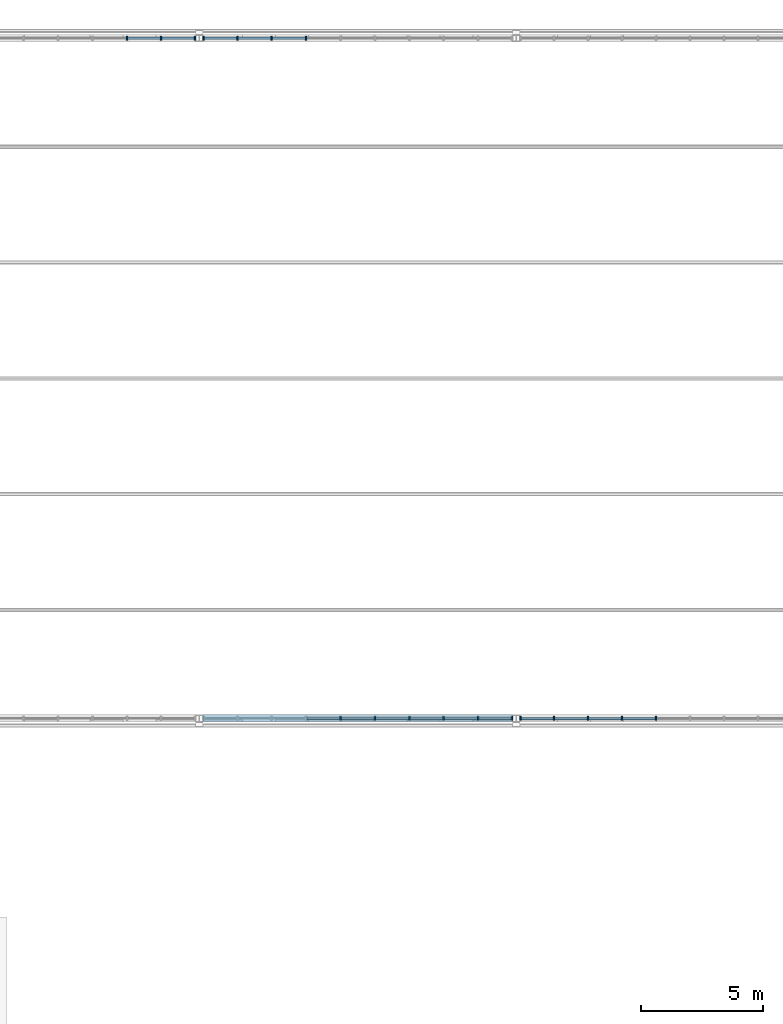
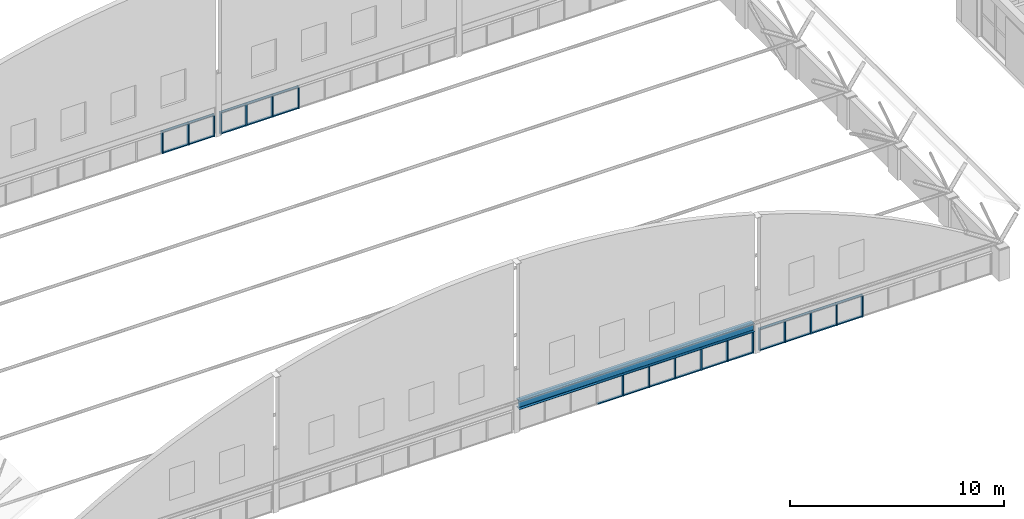
# One storey, part 18 of 65: 48 members, 1 beam, 4 elements without a shape of their own.
"""IFC4 building model written with IfcOpenShell, lengths in metres."""

from ifc_helpers import new_model, si_unit, direction, frame, origin, origin_2d, place, context, subcontext, project, spatial, rectangle, i_section, extrude, material, material_profile, profile_set, type_object, element, aggregate, save


model = new_model("IFC4")

# Units and contexts
model_context = context("Model", 3, precision=1e-05, world=origin(), true_north=direction((0.0, 1.0)))
body_context = subcontext(model_context, "Body", "Model", "MODEL_VIEW")
ifc_project = project(units=[si_unit("LENGTHUNIT", "METRE"), si_unit("AREAUNIT", "SQUARE_METRE"), si_unit("VOLUMEUNIT", "CUBIC_METRE"), si_unit("PLANEANGLEUNIT", "RADIAN"), si_unit("MASSUNIT", "GRAM", prefix="KILO")], contexts=[model_context])

# Site, building, storey
site_placement = place(None, origin())
site = spatial("IfcSite", under=ifc_project, at=site_placement, CompositionType="ELEMENT")
building_placement = place(site_placement, origin())
building = spatial("IfcBuilding", under=site, at=building_placement, Name="Elbe Cascade School", CompositionType="ELEMENT")
storey_placement = place(building_placement, frame((0.0, 0.0, 11.699951171875)))
storey = spatial("IfcBuildingStorey", under=building, at=storey_placement, Name="L03", CompositionType="ELEMENT", Elevation=11.699951171875)

# Beam
ifc_material_1 = material(Name="Steel S355J2", Category="steel")
ifc_material_profile_1 = material_profile(ifc_material_1, i_section(OverallWidth=0.300048828125, OverallDepth=0.489990234375, WebThickness=0.011962890625, FlangeThickness=0.02294921875, FilletRadius=0.027099609375, at=origin_2d()), Name="HEA 500")
ifc_profile_set_1 = profile_set([ifc_material_profile_1], Name="Steel S355J2")
beam_type = type_object("IfcBeamType", Name="Hall gable beam HEA 500", PredefinedType="BEAM", material=ifc_profile_set_1)
beam_placement = place(storey_placement, frame((34.14990234375, 41.300048828125, 1.505126953125), z_axis=(1.0, 0.0, 0.0), x_axis=(0.0, 1.0, 0.0)))
element("IfcBeam", 1, at=beam_placement, inside=storey, type_object=beam_type, Name="Gable beam S3", PredefinedType="BEAM", context=body_context, shape_type="SweptSolid", body=[
    extrude(i_section(OverallWidth=0.300048828125, OverallDepth=0.489990234375, WebThickness=0.011962890625, FlangeThickness=0.02294921875, FilletRadius=0.027099609375, at=origin_2d()), origin(), (0.0, 0.0, 1.0), 12.7001953125),
])

# Curtain wall, members
ifc_material_2 = material(Name="Glass - double glazed low-E", Category="glass")
curtain_wall_type = type_object("IfcCurtainWallType", Name="Hall gable curtain wall", PredefinedType="NOTDEFINED", material=ifc_material_2)
curtain_wall_1_placement = place(storey_placement, origin())
curtain_wall_1 = element("IfcCurtainWall", 2, at=curtain_wall_1_placement, inside=storey, type_object=curtain_wall_type, Name="Gable curtain wall S3", PredefinedType="NOTDEFINED")
ifc_material_3 = material(Name="Aluminium - bronze anodised", Category="aluminium")
ifc_material_profile_2 = material_profile(ifc_material_3, rectangle(XDim=0.159912109375, YDim=0.06005859375, at=origin_2d()), Name="Alu 60x160")
ifc_profile_set_2 = profile_set([ifc_material_profile_2], Name="Aluminium - bronze anodised")
member_type_1 = type_object("IfcMemberType", Name="Hall gable mullion 60x160", PredefinedType="MULLION", material=ifc_profile_set_2)
member_1_placement = place(storey_placement, frame((39.79443359375, 41.300048828125, 0.0), z_axis=(0.0, 0.0, 1.0), x_axis=(0.0, 1.0, 0.0)))
member_1 = element("IfcMember", 3, at=member_1_placement, type_object=member_type_1, Name="CW6 mullion 5", PredefinedType="MULLION", context=body_context, shape_type="SweptSolid", body=[
    extrude(rectangle(XDim=0.159912109375, YDim=0.06005859375, at=origin_2d()), origin(), (0.0, 0.0, 1.0), 1.260009765625),
])
member_2_placement = place(storey_placement, frame((41.20556640625, 41.300048828125, 0.0), z_axis=(0.0, 0.0, 1.0), x_axis=(0.0, 1.0, 0.0)))
member_2 = element("IfcMember", 4, at=member_2_placement, type_object=member_type_1, Name="CW6 mullion 6", PredefinedType="MULLION", context=body_context, shape_type="SweptSolid", body=[
    extrude(rectangle(XDim=0.159912109375, YDim=0.06005859375, at=origin_2d()), origin(), (0.0, 0.0, 1.0), 1.260009765625),
])
member_3_placement = place(storey_placement, frame((42.61669921875, 41.300048828125, 0.0), z_axis=(0.0, 0.0, 1.0), x_axis=(0.0, 1.0, 0.0)))
member_3 = element("IfcMember", 5, at=member_3_placement, type_object=member_type_1, Name="CW6 mullion 7", PredefinedType="MULLION", context=body_context, shape_type="SweptSolid", body=[
    extrude(rectangle(XDim=0.159912109375, YDim=0.06005859375, at=origin_2d()), origin(), (0.0, 0.0, 1.0), 1.260009765625),
])
member_4_placement = place(storey_placement, frame((44.02783203125, 41.300048828125, 0.0), z_axis=(0.0, 0.0, 1.0), x_axis=(0.0, 1.0, 0.0)))
member_4 = element("IfcMember", 6, at=member_4_placement, type_object=member_type_1, Name="CW6 mullion 8", PredefinedType="MULLION", context=body_context, shape_type="SweptSolid", body=[
    extrude(rectangle(XDim=0.159912109375, YDim=0.06005859375, at=origin_2d()), origin(), (0.0, 0.0, 1.0), 1.260009765625),
])
member_5_placement = place(storey_placement, frame((45.43896484375, 41.300048828125, 0.0), z_axis=(0.0, 0.0, 1.0), x_axis=(0.0, 1.0, 0.0)))
member_5 = element("IfcMember", 7, at=member_5_placement, type_object=member_type_1, Name="CW6 mullion 9", PredefinedType="MULLION", context=body_context, shape_type="SweptSolid", body=[
    extrude(rectangle(XDim=0.159912109375, YDim=0.06005859375, at=origin_2d()), origin(), (0.0, 0.0, 1.0), 1.260009765625),
])
member_6_placement = place(storey_placement, frame((46.820068359375, 41.300048828125, 0.0), z_axis=(0.0, 0.0, 1.0), x_axis=(0.0, 1.0, 0.0)))
member_6 = element("IfcMember", 8, at=member_6_placement, type_object=member_type_1, Name="CW6 mullion 10", PredefinedType="MULLION", context=body_context, shape_type="SweptSolid", body=[
    extrude(rectangle(XDim=0.159912109375, YDim=0.06005859375, at=origin_2d()), origin(), (0.0, 0.0, 1.0), 1.260009765625),
])

curtain_wall_2_placement = place(storey_placement, origin())
curtain_wall_2 = element("IfcCurtainWall", 9, at=curtain_wall_2_placement, inside=storey, type_object=curtain_wall_type, Name="Gable curtain wall S4", PredefinedType="NOTDEFINED")
member_7_placement = place(storey_placement, frame((47.179931640625, 41.300048828125, 0.0), z_axis=(0.0, 0.0, 1.0), x_axis=(0.0, 1.0, 0.0)))
member_7 = element("IfcMember", 10, at=member_7_placement, type_object=member_type_1, Name="CW6 mullion 1", PredefinedType="MULLION", context=body_context, shape_type="SweptSolid", body=[
    extrude(rectangle(XDim=0.159912109375, YDim=0.06005859375, at=origin_2d()), origin(), (0.0, 0.0, 1.0), 1.260009765625),
])
member_8_placement = place(storey_placement, frame((48.54443359375, 41.300048828125, 0.0), z_axis=(0.0, 0.0, 1.0), x_axis=(0.0, 1.0, 0.0)))
member_8 = element("IfcMember", 11, at=member_8_placement, type_object=member_type_1, Name="CW6 mullion 2", PredefinedType="MULLION", context=body_context, shape_type="SweptSolid", body=[
    extrude(rectangle(XDim=0.159912109375, YDim=0.06005859375, at=origin_2d()), origin(), (0.0, 0.0, 1.0), 1.260009765625),
])
member_9_placement = place(storey_placement, frame((49.93896484375, 41.300048828125, 0.0), z_axis=(0.0, 0.0, 1.0), x_axis=(0.0, 1.0, 0.0)))
member_9 = element("IfcMember", 12, at=member_9_placement, type_object=member_type_1, Name="CW6 mullion 3", PredefinedType="MULLION", context=body_context, shape_type="SweptSolid", body=[
    extrude(rectangle(XDim=0.159912109375, YDim=0.06005859375, at=origin_2d()), origin(), (0.0, 0.0, 1.0), 1.260009765625),
])
member_10_placement = place(storey_placement, frame((51.333251953125, 41.300048828125, 0.0), z_axis=(0.0, 0.0, 1.0), x_axis=(0.0, 1.0, 0.0)))
member_10 = element("IfcMember", 13, at=member_10_placement, type_object=member_type_1, Name="CW6 mullion 4", PredefinedType="MULLION", context=body_context, shape_type="SweptSolid", body=[
    extrude(rectangle(XDim=0.159912109375, YDim=0.06005859375, at=origin_2d()), origin(), (0.0, 0.0, 1.0), 1.260009765625),
])
member_11_placement = place(storey_placement, frame((52.727783203125, 41.300048828125, 0.0), z_axis=(0.0, 0.0, 1.0), x_axis=(0.0, 1.0, 0.0)))
member_11 = element("IfcMember", 14, at=member_11_placement, type_object=member_type_1, Name="CW6 mullion 5", PredefinedType="MULLION", context=body_context, shape_type="SweptSolid", body=[
    extrude(rectangle(XDim=0.159912109375, YDim=0.06005859375, at=origin_2d()), origin(), (0.0, 0.0, 1.0), 1.260009765625),
])

curtain_wall_3_placement = place(storey_placement, origin())
curtain_wall_3 = element("IfcCurtainWall", 15, at=curtain_wall_3_placement, inside=storey, type_object=curtain_wall_type, Name="Gable curtain wall N2", PredefinedType="NOTDEFINED")
member_12_placement = place(storey_placement, frame((31.02783203125, 69.199951171875, 0.0), z_axis=(0.0, 0.0, 1.0), x_axis=(0.0, 1.0, 0.0)))
member_12 = element("IfcMember", 16, at=member_12_placement, type_object=member_type_1, Name="CW6 mullion 8", PredefinedType="MULLION", context=body_context, shape_type="SweptSolid", body=[
    extrude(rectangle(XDim=0.159912109375, YDim=0.06005859375, at=origin_2d()), origin(), (0.0, 0.0, 1.0), 1.260009765625),
])
member_13_placement = place(storey_placement, frame((32.43896484375, 69.199951171875, 0.0), z_axis=(0.0, 0.0, 1.0), x_axis=(0.0, 1.0, 0.0)))
member_13 = element("IfcMember", 17, at=member_13_placement, type_object=member_type_1, Name="CW6 mullion 9", PredefinedType="MULLION", context=body_context, shape_type="SweptSolid", body=[
    extrude(rectangle(XDim=0.159912109375, YDim=0.06005859375, at=origin_2d()), origin(), (0.0, 0.0, 1.0), 1.260009765625),
])
member_14_placement = place(storey_placement, frame((33.820068359375, 69.199951171875, 0.0), z_axis=(0.0, 0.0, 1.0), x_axis=(0.0, 1.0, 0.0)))
member_14 = element("IfcMember", 18, at=member_14_placement, type_object=member_type_1, Name="CW6 mullion 10", PredefinedType="MULLION", context=body_context, shape_type="SweptSolid", body=[
    extrude(rectangle(XDim=0.159912109375, YDim=0.06005859375, at=origin_2d()), origin(), (0.0, 0.0, 1.0), 1.260009765625),
])

curtain_wall_4_placement = place(storey_placement, origin())
curtain_wall_4 = element("IfcCurtainWall", 19, at=curtain_wall_4_placement, inside=storey, type_object=curtain_wall_type, Name="Gable curtain wall N3", PredefinedType="NOTDEFINED")
member_15_placement = place(storey_placement, frame((34.179931640625, 69.199951171875, 0.0), z_axis=(0.0, 0.0, 1.0), x_axis=(0.0, 1.0, 0.0)))
member_15 = element("IfcMember", 20, at=member_15_placement, type_object=member_type_1, Name="CW6 mullion 1", PredefinedType="MULLION", context=body_context, shape_type="SweptSolid", body=[
    extrude(rectangle(XDim=0.159912109375, YDim=0.06005859375, at=origin_2d()), origin(), (0.0, 0.0, 1.0), 1.260009765625),
])
member_16_placement = place(storey_placement, frame((35.56103515625, 69.199951171875, 0.0), z_axis=(0.0, 0.0, 1.0), x_axis=(0.0, 1.0, 0.0)))
member_16 = element("IfcMember", 21, at=member_16_placement, type_object=member_type_1, Name="CW6 mullion 2", PredefinedType="MULLION", context=body_context, shape_type="SweptSolid", body=[
    extrude(rectangle(XDim=0.159912109375, YDim=0.06005859375, at=origin_2d()), origin(), (0.0, 0.0, 1.0), 1.260009765625),
])
member_17_placement = place(storey_placement, frame((36.97216796875, 69.199951171875, 0.0), z_axis=(0.0, 0.0, 1.0), x_axis=(0.0, 1.0, 0.0)))
member_17 = element("IfcMember", 22, at=member_17_placement, type_object=member_type_1, Name="CW6 mullion 3", PredefinedType="MULLION", context=body_context, shape_type="SweptSolid", body=[
    extrude(rectangle(XDim=0.159912109375, YDim=0.06005859375, at=origin_2d()), origin(), (0.0, 0.0, 1.0), 1.260009765625),
])
member_18_placement = place(storey_placement, frame((38.38330078125, 69.199951171875, 0.0), z_axis=(0.0, 0.0, 1.0), x_axis=(0.0, 1.0, 0.0)))
member_18 = element("IfcMember", 23, at=member_18_placement, type_object=member_type_1, Name="CW6 mullion 4", PredefinedType="MULLION", context=body_context, shape_type="SweptSolid", body=[
    extrude(rectangle(XDim=0.159912109375, YDim=0.06005859375, at=origin_2d()), origin(), (0.0, 0.0, 1.0), 1.260009765625),
])

# Member
ifc_material_4 = material(Name="Aluminium - bronze anodised", Category="aluminium")
ifc_material_profile_3 = material_profile(ifc_material_4, rectangle(XDim=0.1201171875, YDim=0.06005859375, at=origin_2d()), Name="Alu 60x120")
ifc_profile_set_3 = profile_set([ifc_material_profile_3], Name="Aluminium - bronze anodised")
member_type_2 = type_object("IfcMemberType", Name="Hall gable transom 60x120", PredefinedType="USERDEFINED", material=ifc_profile_set_3)
member_19_placement = place(storey_placement, frame((38.413330078125, 41.300048828125, 0.030029296875), z_axis=(1.0, 0.0, 0.0), x_axis=(0.0, 1.0, 0.0)))
member_19 = element("IfcMember", 24, at=member_19_placement, type_object=member_type_2, Name="CW6 transom 4.1", ObjectType="TRANSOM", PredefinedType="USERDEFINED", context=body_context, shape_type="SweptSolid", body=[
    extrude(rectangle(XDim=0.1201171875, YDim=0.06005859375, at=origin_2d()), origin(), (0.0, 0.0, 1.0), 1.35107421875),
])

member_20_placement = place(storey_placement, frame((38.413330078125, 41.300048828125, 1.22998046875), z_axis=(1.0, 0.0, 0.0), x_axis=(0.0, 1.0, 0.0)))
member_20 = element("IfcMember", 25, at=member_20_placement, type_object=member_type_2, Name="CW6 transom 4.2", ObjectType="TRANSOM", PredefinedType="USERDEFINED", context=body_context, shape_type="SweptSolid", body=[
    extrude(rectangle(XDim=0.1201171875, YDim=0.06005859375, at=origin_2d()), origin(), (0.0, 0.0, 1.0), 1.35107421875),
])

member_21_placement = place(storey_placement, frame((39.824462890625, 41.300048828125, 0.030029296875), z_axis=(1.0, 0.0, 0.0), x_axis=(0.0, 1.0, 0.0)))
member_21 = element("IfcMember", 26, at=member_21_placement, type_object=member_type_2, Name="CW6 transom 5.1", ObjectType="TRANSOM", PredefinedType="USERDEFINED", context=body_context, shape_type="SweptSolid", body=[
    extrude(rectangle(XDim=0.1201171875, YDim=0.06005859375, at=origin_2d()), origin(), (0.0, 0.0, 1.0), 1.35107421875),
])

member_22_placement = place(storey_placement, frame((39.824462890625, 41.300048828125, 1.22998046875), z_axis=(1.0, 0.0, 0.0), x_axis=(0.0, 1.0, 0.0)))
member_22 = element("IfcMember", 27, at=member_22_placement, type_object=member_type_2, Name="CW6 transom 5.2", ObjectType="TRANSOM", PredefinedType="USERDEFINED", context=body_context, shape_type="SweptSolid", body=[
    extrude(rectangle(XDim=0.1201171875, YDim=0.06005859375, at=origin_2d()), origin(), (0.0, 0.0, 1.0), 1.35107421875),
])

member_23_placement = place(storey_placement, frame((41.235595703125, 41.300048828125, 0.030029296875), z_axis=(1.0, 0.0, 0.0), x_axis=(0.0, 1.0, 0.0)))
member_23 = element("IfcMember", 28, at=member_23_placement, type_object=member_type_2, Name="CW6 transom 6.1", ObjectType="TRANSOM", PredefinedType="USERDEFINED", context=body_context, shape_type="SweptSolid", body=[
    extrude(rectangle(XDim=0.1201171875, YDim=0.06005859375, at=origin_2d()), origin(), (0.0, 0.0, 1.0), 1.35107421875),
])

member_24_placement = place(storey_placement, frame((41.235595703125, 41.300048828125, 1.22998046875), z_axis=(1.0, 0.0, 0.0), x_axis=(0.0, 1.0, 0.0)))
member_24 = element("IfcMember", 29, at=member_24_placement, type_object=member_type_2, Name="CW6 transom 6.2", ObjectType="TRANSOM", PredefinedType="USERDEFINED", context=body_context, shape_type="SweptSolid", body=[
    extrude(rectangle(XDim=0.1201171875, YDim=0.06005859375, at=origin_2d()), origin(), (0.0, 0.0, 1.0), 1.35107421875),
])

member_25_placement = place(storey_placement, frame((42.646728515625, 41.300048828125, 0.030029296875), z_axis=(1.0, 0.0, 0.0), x_axis=(0.0, 1.0, 0.0)))
member_25 = element("IfcMember", 30, at=member_25_placement, type_object=member_type_2, Name="CW6 transom 7.1", ObjectType="TRANSOM", PredefinedType="USERDEFINED", context=body_context, shape_type="SweptSolid", body=[
    extrude(rectangle(XDim=0.1201171875, YDim=0.06005859375, at=origin_2d()), origin(), (0.0, 0.0, 1.0), 1.35107421875),
])

member_26_placement = place(storey_placement, frame((42.646728515625, 41.300048828125, 1.22998046875), z_axis=(1.0, 0.0, 0.0), x_axis=(0.0, 1.0, 0.0)))
member_26 = element("IfcMember", 31, at=member_26_placement, type_object=member_type_2, Name="CW6 transom 7.2", ObjectType="TRANSOM", PredefinedType="USERDEFINED", context=body_context, shape_type="SweptSolid", body=[
    extrude(rectangle(XDim=0.1201171875, YDim=0.06005859375, at=origin_2d()), origin(), (0.0, 0.0, 1.0), 1.35107421875),
])

member_27_placement = place(storey_placement, frame((44.057861328125, 41.300048828125, 0.030029296875), z_axis=(1.0, 0.0, 0.0), x_axis=(0.0, 1.0, 0.0)))
member_27 = element("IfcMember", 32, at=member_27_placement, type_object=member_type_2, Name="CW6 transom 8.1", ObjectType="TRANSOM", PredefinedType="USERDEFINED", context=body_context, shape_type="SweptSolid", body=[
    extrude(rectangle(XDim=0.1201171875, YDim=0.06005859375, at=origin_2d()), origin(), (0.0, 0.0, 1.0), 1.35107421875),
])

member_28_placement = place(storey_placement, frame((44.057861328125, 41.300048828125, 1.22998046875), z_axis=(1.0, 0.0, 0.0), x_axis=(0.0, 1.0, 0.0)))
member_28 = element("IfcMember", 33, at=member_28_placement, type_object=member_type_2, Name="CW6 transom 8.2", ObjectType="TRANSOM", PredefinedType="USERDEFINED", context=body_context, shape_type="SweptSolid", body=[
    extrude(rectangle(XDim=0.1201171875, YDim=0.06005859375, at=origin_2d()), origin(), (0.0, 0.0, 1.0), 1.35107421875),
])

member_29_placement = place(storey_placement, frame((45.468994140625, 41.300048828125, 0.030029296875), z_axis=(1.0, 0.0, 0.0), x_axis=(0.0, 1.0, 0.0)))
member_29 = element("IfcMember", 34, at=member_29_placement, type_object=member_type_2, Name="CW6 transom 9.1", ObjectType="TRANSOM", PredefinedType="USERDEFINED", context=body_context, shape_type="SweptSolid", body=[
    extrude(rectangle(XDim=0.1201171875, YDim=0.06005859375, at=origin_2d()), origin(), (0.0, 0.0, 1.0), 1.321044921875),
])

member_30_placement = place(storey_placement, frame((45.468994140625, 41.300048828125, 1.22998046875), z_axis=(1.0, 0.0, 0.0), x_axis=(0.0, 1.0, 0.0)))
member_30 = element("IfcMember", 35, at=member_30_placement, type_object=member_type_2, Name="CW6 transom 9.2", ObjectType="TRANSOM", PredefinedType="USERDEFINED", context=body_context, shape_type="SweptSolid", body=[
    extrude(rectangle(XDim=0.1201171875, YDim=0.06005859375, at=origin_2d()), origin(), (0.0, 0.0, 1.0), 1.321044921875),
])

aggregate(curtain_wall_1, [member_1, member_2, member_3, member_4, member_5, member_6, member_19, member_20, member_21, member_22, member_23, member_24, member_25, member_26, member_27, member_28, member_29, member_30])

member_31_placement = place(storey_placement, frame((47.2099609375, 41.300048828125, 0.030029296875), z_axis=(1.0, 0.0, 0.0), x_axis=(0.0, 1.0, 0.0)))
member_31 = element("IfcMember", 36, at=member_31_placement, type_object=member_type_2, Name="CW6 transom 1.1", ObjectType="TRANSOM", PredefinedType="USERDEFINED", context=body_context, shape_type="SweptSolid", body=[
    extrude(rectangle(XDim=0.1201171875, YDim=0.06005859375, at=origin_2d()), origin(), (0.0, 0.0, 1.0), 1.304443359375),
])

member_32_placement = place(storey_placement, frame((47.2099609375, 41.300048828125, 1.22998046875), z_axis=(1.0, 0.0, 0.0), x_axis=(0.0, 1.0, 0.0)))
member_32 = element("IfcMember", 37, at=member_32_placement, type_object=member_type_2, Name="CW6 transom 1.2", ObjectType="TRANSOM", PredefinedType="USERDEFINED", context=body_context, shape_type="SweptSolid", body=[
    extrude(rectangle(XDim=0.1201171875, YDim=0.06005859375, at=origin_2d()), origin(), (0.0, 0.0, 1.0), 1.304443359375),
])

member_33_placement = place(storey_placement, frame((48.574462890625, 41.300048828125, 0.030029296875), z_axis=(1.0, 0.0, 0.0), x_axis=(0.0, 1.0, 0.0)))
member_33 = element("IfcMember", 38, at=member_33_placement, type_object=member_type_2, Name="CW6 transom 2.1", ObjectType="TRANSOM", PredefinedType="USERDEFINED", context=body_context, shape_type="SweptSolid", body=[
    extrude(rectangle(XDim=0.1201171875, YDim=0.06005859375, at=origin_2d()), origin(), (0.0, 0.0, 1.0), 1.33447265625),
])

member_34_placement = place(storey_placement, frame((48.574462890625, 41.300048828125, 1.22998046875), z_axis=(1.0, 0.0, 0.0), x_axis=(0.0, 1.0, 0.0)))
member_34 = element("IfcMember", 39, at=member_34_placement, type_object=member_type_2, Name="CW6 transom 2.2", ObjectType="TRANSOM", PredefinedType="USERDEFINED", context=body_context, shape_type="SweptSolid", body=[
    extrude(rectangle(XDim=0.1201171875, YDim=0.06005859375, at=origin_2d()), origin(), (0.0, 0.0, 1.0), 1.33447265625),
])

member_35_placement = place(storey_placement, frame((49.968994140625, 41.300048828125, 0.030029296875), z_axis=(1.0, 0.0, 0.0), x_axis=(0.0, 1.0, 0.0)))
member_35 = element("IfcMember", 40, at=member_35_placement, type_object=member_type_2, Name="CW6 transom 3.1", ObjectType="TRANSOM", PredefinedType="USERDEFINED", context=body_context, shape_type="SweptSolid", body=[
    extrude(rectangle(XDim=0.1201171875, YDim=0.06005859375, at=origin_2d()), origin(), (0.0, 0.0, 1.0), 1.334228515625),
])

member_36_placement = place(storey_placement, frame((49.968994140625, 41.300048828125, 1.22998046875), z_axis=(1.0, 0.0, 0.0), x_axis=(0.0, 1.0, 0.0)))
member_36 = element("IfcMember", 41, at=member_36_placement, type_object=member_type_2, Name="CW6 transom 3.2", ObjectType="TRANSOM", PredefinedType="USERDEFINED", context=body_context, shape_type="SweptSolid", body=[
    extrude(rectangle(XDim=0.1201171875, YDim=0.06005859375, at=origin_2d()), origin(), (0.0, 0.0, 1.0), 1.334228515625),
])

member_37_placement = place(storey_placement, frame((51.36328125, 41.300048828125, 0.030029296875), z_axis=(1.0, 0.0, 0.0), x_axis=(0.0, 1.0, 0.0)))
member_37 = element("IfcMember", 42, at=member_37_placement, type_object=member_type_2, Name="CW6 transom 4.1", ObjectType="TRANSOM", PredefinedType="USERDEFINED", context=body_context, shape_type="SweptSolid", body=[
    extrude(rectangle(XDim=0.1201171875, YDim=0.06005859375, at=origin_2d()), origin(), (0.0, 0.0, 1.0), 1.33447265625),
])

member_38_placement = place(storey_placement, frame((51.36328125, 41.300048828125, 1.22998046875), z_axis=(1.0, 0.0, 0.0), x_axis=(0.0, 1.0, 0.0)))
member_38 = element("IfcMember", 43, at=member_38_placement, type_object=member_type_2, Name="CW6 transom 4.2", ObjectType="TRANSOM", PredefinedType="USERDEFINED", context=body_context, shape_type="SweptSolid", body=[
    extrude(rectangle(XDim=0.1201171875, YDim=0.06005859375, at=origin_2d()), origin(), (0.0, 0.0, 1.0), 1.33447265625),
])

aggregate(curtain_wall_2, [member_7, member_8, member_9, member_10, member_11, member_31, member_32, member_33, member_34, member_35, member_36, member_37, member_38])

member_39_placement = place(storey_placement, frame((31.057861328125, 69.199951171875, 0.030029296875), z_axis=(1.0, 0.0, 0.0), x_axis=(0.0, 1.0, 0.0)))
member_39 = element("IfcMember", 44, at=member_39_placement, type_object=member_type_2, Name="CW6 transom 8.1", ObjectType="TRANSOM", PredefinedType="USERDEFINED", context=body_context, shape_type="SweptSolid", body=[
    extrude(rectangle(XDim=0.1201171875, YDim=0.06005859375, at=origin_2d()), origin(), (0.0, 0.0, 1.0), 1.35107421875),
])

member_40_placement = place(storey_placement, frame((31.057861328125, 69.199951171875, 1.22998046875), z_axis=(1.0, 0.0, 0.0), x_axis=(0.0, 1.0, 0.0)))
member_40 = element("IfcMember", 45, at=member_40_placement, type_object=member_type_2, Name="CW6 transom 8.2", ObjectType="TRANSOM", PredefinedType="USERDEFINED", context=body_context, shape_type="SweptSolid", body=[
    extrude(rectangle(XDim=0.1201171875, YDim=0.06005859375, at=origin_2d()), origin(), (0.0, 0.0, 1.0), 1.35107421875),
])

member_41_placement = place(storey_placement, frame((32.468994140625, 69.199951171875, 0.030029296875), z_axis=(1.0, 0.0, 0.0), x_axis=(0.0, 1.0, 0.0)))
member_41 = element("IfcMember", 46, at=member_41_placement, type_object=member_type_2, Name="CW6 transom 9.1", ObjectType="TRANSOM", PredefinedType="USERDEFINED", context=body_context, shape_type="SweptSolid", body=[
    extrude(rectangle(XDim=0.1201171875, YDim=0.06005859375, at=origin_2d()), origin(), (0.0, 0.0, 1.0), 1.321044921875),
])

member_42_placement = place(storey_placement, frame((32.468994140625, 69.199951171875, 1.22998046875), z_axis=(1.0, 0.0, 0.0), x_axis=(0.0, 1.0, 0.0)))
member_42 = element("IfcMember", 47, at=member_42_placement, type_object=member_type_2, Name="CW6 transom 9.2", ObjectType="TRANSOM", PredefinedType="USERDEFINED", context=body_context, shape_type="SweptSolid", body=[
    extrude(rectangle(XDim=0.1201171875, YDim=0.06005859375, at=origin_2d()), origin(), (0.0, 0.0, 1.0), 1.321044921875),
])

aggregate(curtain_wall_3, [member_12, member_13, member_14, member_39, member_40, member_41, member_42])

member_43_placement = place(storey_placement, frame((34.2099609375, 69.199951171875, 0.030029296875), z_axis=(1.0, 0.0, 0.0), x_axis=(0.0, 1.0, 0.0)))
member_43 = element("IfcMember", 48, at=member_43_placement, type_object=member_type_2, Name="CW6 transom 1.1", ObjectType="TRANSOM", PredefinedType="USERDEFINED", context=body_context, shape_type="SweptSolid", body=[
    extrude(rectangle(XDim=0.1201171875, YDim=0.06005859375, at=origin_2d()), origin(), (0.0, 0.0, 1.0), 1.321044921875),
])

member_44_placement = place(storey_placement, frame((34.2099609375, 69.199951171875, 1.22998046875), z_axis=(1.0, 0.0, 0.0), x_axis=(0.0, 1.0, 0.0)))
member_44 = element("IfcMember", 49, at=member_44_placement, type_object=member_type_2, Name="CW6 transom 1.2", ObjectType="TRANSOM", PredefinedType="USERDEFINED", context=body_context, shape_type="SweptSolid", body=[
    extrude(rectangle(XDim=0.1201171875, YDim=0.06005859375, at=origin_2d()), origin(), (0.0, 0.0, 1.0), 1.321044921875),
])

member_45_placement = place(storey_placement, frame((35.591064453125, 69.199951171875, 0.030029296875), z_axis=(1.0, 0.0, 0.0), x_axis=(0.0, 1.0, 0.0)))
member_45 = element("IfcMember", 50, at=member_45_placement, type_object=member_type_2, Name="CW6 transom 2.1", ObjectType="TRANSOM", PredefinedType="USERDEFINED", context=body_context, shape_type="SweptSolid", body=[
    extrude(rectangle(XDim=0.1201171875, YDim=0.06005859375, at=origin_2d()), origin(), (0.0, 0.0, 1.0), 1.35107421875),
])

member_46_placement = place(storey_placement, frame((35.591064453125, 69.199951171875, 1.22998046875), z_axis=(1.0, 0.0, 0.0), x_axis=(0.0, 1.0, 0.0)))
member_46 = element("IfcMember", 51, at=member_46_placement, type_object=member_type_2, Name="CW6 transom 2.2", ObjectType="TRANSOM", PredefinedType="USERDEFINED", context=body_context, shape_type="SweptSolid", body=[
    extrude(rectangle(XDim=0.1201171875, YDim=0.06005859375, at=origin_2d()), origin(), (0.0, 0.0, 1.0), 1.35107421875),
])

member_47_placement = place(storey_placement, frame((37.002197265625, 69.199951171875, 0.030029296875), z_axis=(1.0, 0.0, 0.0), x_axis=(0.0, 1.0, 0.0)))
member_47 = element("IfcMember", 52, at=member_47_placement, type_object=member_type_2, Name="CW6 transom 3.1", ObjectType="TRANSOM", PredefinedType="USERDEFINED", context=body_context, shape_type="SweptSolid", body=[
    extrude(rectangle(XDim=0.1201171875, YDim=0.06005859375, at=origin_2d()), origin(), (0.0, 0.0, 1.0), 1.35107421875),
])

member_48_placement = place(storey_placement, frame((37.002197265625, 69.199951171875, 1.22998046875), z_axis=(1.0, 0.0, 0.0), x_axis=(0.0, 1.0, 0.0)))
member_48 = element("IfcMember", 53, at=member_48_placement, type_object=member_type_2, Name="CW6 transom 3.2", ObjectType="TRANSOM", PredefinedType="USERDEFINED", context=body_context, shape_type="SweptSolid", body=[
    extrude(rectangle(XDim=0.1201171875, YDim=0.06005859375, at=origin_2d()), origin(), (0.0, 0.0, 1.0), 1.35107421875),
])

aggregate(curtain_wall_4, [member_15, member_16, member_17, member_18, member_43, member_44, member_45, member_46, member_47, member_48])

save(model, "model.ifc")
